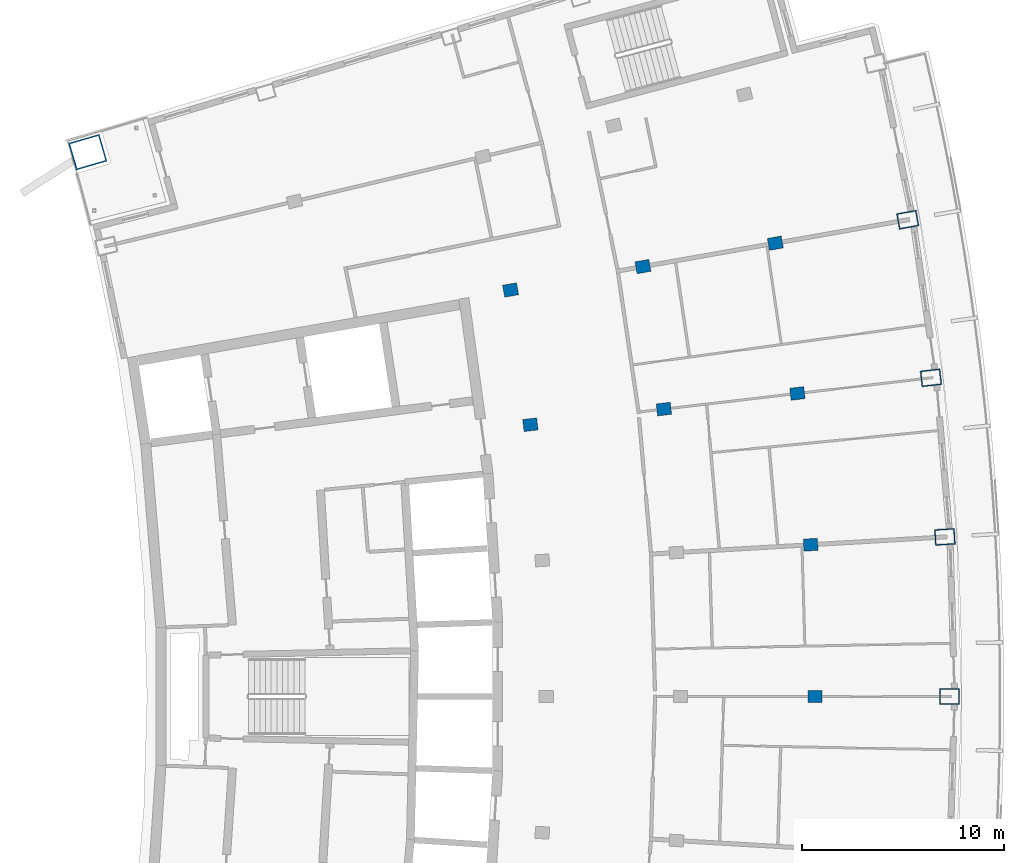
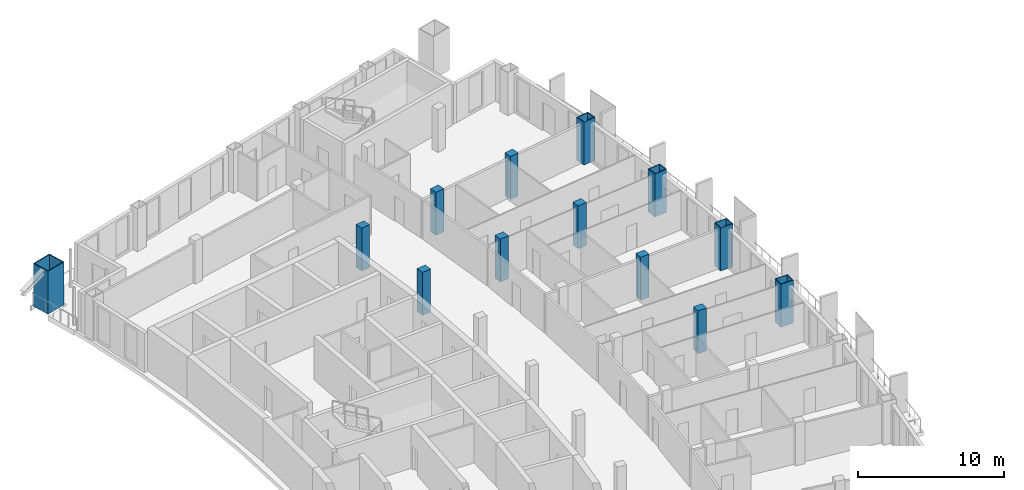
# One storey, part 4 of 16: 13 columns.
"""IFC4 building model written with IfcOpenShell, lengths in metres."""

from ifc_helpers import new_model, si_unit, direction, frame, origin, origin_2d, place, context, subcontext, project, spatial, rectangle, hollow_rectangle, extrude, material, material_profile, profile_set, type_object, element, save


model = new_model("IFC4")

# Units and contexts
model_context = context("Model", 3, precision=1e-05, world=origin(), true_north=direction((0.0, 1.0)))
body_context = subcontext(model_context, "Body", "Model", "MODEL_VIEW")
ifc_project = project(units=[si_unit("LENGTHUNIT", "METRE"), si_unit("AREAUNIT", "SQUARE_METRE"), si_unit("VOLUMEUNIT", "CUBIC_METRE"), si_unit("PLANEANGLEUNIT", "RADIAN"), si_unit("MASSUNIT", "GRAM", prefix="KILO")], contexts=[model_context])

# Site, building, storey
site_placement = place(None, origin())
site = spatial("IfcSite", under=ifc_project, at=site_placement, CompositionType="ELEMENT")
building_placement = place(site_placement, origin())
building = spatial("IfcBuilding", under=site, at=building_placement, Name="Alderwake Tower", CompositionType="ELEMENT")
storey_placement = place(building_placement, frame((0.0, 0.0, 281.60009765625)))
storey = spatial("IfcBuildingStorey", under=building, at=storey_placement, Name="L70", CompositionType="ELEMENT", Elevation=281.60009765625)

# Columns
ifc_material_1 = material(Name="Concrete C70/85", Category="concrete")
ifc_material_profile_1 = material_profile(ifc_material_1, rectangle(XDim=0.60009765625, YDim=0.699951171875, at=origin_2d()), Name="RC 700X600")
ifc_profile_set_1 = profile_set([ifc_material_profile_1], Name="Concrete C70/85")
column_type_1 = type_object("IfcColumnType", Name="Interior column Z5", PredefinedType="COLUMN", material=ifc_profile_set_1)
for number, where, z_axis, x_axis, name in (
    (1, (49.13330078125, 61.0, 0.0), (0.0, 0.0, 1.0), (0.0, 1.0, 0.0), "Column R07-C4"),
    (2, (48.913818359375, 68.528564453125, 0.0), (0.0, 0.0, 1.0), (-0.058301061284, 0.998299046505, 0.0), "Column R08-C4"),
    (3, (35.0126953125, 74.4794921875, 0.0), (0.0, 0.0, 1.0), (-0.116402054316, 0.993202175668, 0.0), "Column R09-C2"),
    (4, (41.63427734375, 75.25537109375, 0.0), (0.0, 0.0, 1.0), (-0.116402054316, 0.993202175668, 0.0), "Column R09-C3"),
    (5, (48.255615234375, 76.031494140625, 0.0), (0.0, 0.0, 1.0), (-0.116402054316, 0.993202175668, 0.0), "Column R09-C4"),
    (6, (34.03125, 81.16162109375, 0.0), (0.0, 0.0, 1.0), (-0.174108800747, 0.984726421654, 0.0), "Column R10-C2"),
    (7, (40.59619140625, 82.322509765625, 0.0), (0.0, 0.0, 1.0), (-0.174107082075, 0.984726725529, 0.0), "Column R10-C3"),
    (8, (47.160888671875, 83.483154296875, 0.0), (0.0, 0.0, 1.0), (-0.174108800747, 0.984726421654, 0.0), "Column R10-C4"),
):
    element("IfcColumn", number, at=place(storey_placement, frame(where, z_axis=z_axis, x_axis=x_axis)), inside=storey, type_object=column_type_1, Name=name, PredefinedType="COLUMN", context=body_context, shape_type="SweptSolid", body=[
        extrude(rectangle(XDim=0.60009765625, YDim=0.699951171875, at=origin_2d()), origin(), (0.0, 0.0, 1.0), 3.599853515625),
    ])
ifc_material_2 = material(Name="Steel ASTM A572 Grade 50 concrete filled C70/85", Category="concrete")
ifc_material_profile_2 = material_profile(ifc_material_2, hollow_rectangle(XDim=1.39990234375, YDim=1.60009765625, WallThickness=0.070068359375, at=origin_2d()), Name="BOX 1600X1400X70")
ifc_profile_set_2 = profile_set([ifc_material_profile_2], Name="Steel ASTM A572 Grade 50 concrete filled C70/85")
column_type_2 = type_object("IfcColumnType", Name="Mega column Z5", PredefinedType="COLUMN", material=ifc_profile_set_2)
column_placement = place(storey_placement, frame((13.06298828125, 87.99755859375, 0.0), z_axis=(0.0, 0.0, 1.0), x_axis=(-0.278612301868, 0.960403657452, 0.0)))
element("IfcColumn", 9, at=column_placement, inside=storey, type_object=column_type_2, Name="Column R12-C0", PredefinedType="COLUMN", context=body_context, shape_type="SweptSolid", body=[
    extrude(hollow_rectangle(XDim=1.39990234375, YDim=1.60009765625, WallThickness=0.070068359375, at=origin_2d()), origin(), (0.0, 0.0, 1.0), 3.599853515625),
])
ifc_material_3 = material(Name="Steel ASTM A572 Grade 50 concrete filled C70/85", Category="concrete")
ifc_material_profile_3 = material_profile(ifc_material_3, hollow_rectangle(XDim=0.800048828125, YDim=1.0, WallThickness=0.054931640625, at=origin_2d()), Name="BOX 1000X800X55")
ifc_profile_set_3 = profile_set([ifc_material_profile_3], Name="Steel ASTM A572 Grade 50 concrete filled C70/85")
column_type_3 = type_object("IfcColumnType", Name="Perimeter column Z5", PredefinedType="COLUMN", material=ifc_profile_set_3)
for number, where, z_axis, x_axis, name in (
    (10, (55.800048828125, 61.0, 0.0), (0.0, 0.0, 1.0), (0.0, 1.0, 0.0), "Column R07-C5"),
    (11, (55.569091796875, 68.917236328125, 0.0), (0.0, 0.0, 1.0), (-0.058301061284, 0.998299046505, 0.0), "Column R08-C5"),
    (12, (54.876953125, 76.807373046875, 0.0), (0.0, 0.0, 1.0), (-0.116402054316, 0.993202175668, 0.0), "Column R09-C5"),
    (13, (53.725830078125, 84.643798828125, 0.0), (0.0, 0.0, 1.0), (-0.174108800747, 0.984726421654, 0.0), "Column R10-C5"),
):
    element("IfcColumn", number, at=place(storey_placement, frame(where, z_axis=z_axis, x_axis=x_axis)), inside=storey, type_object=column_type_3, Name=name, PredefinedType="COLUMN", context=body_context, shape_type="SweptSolid", body=[
        extrude(hollow_rectangle(XDim=0.800048828125, YDim=1.0, WallThickness=0.054931640625, at=origin_2d()), origin(), (0.0, 0.0, 1.0), 3.599853515625),
    ])

save(model, "model.ifc")
